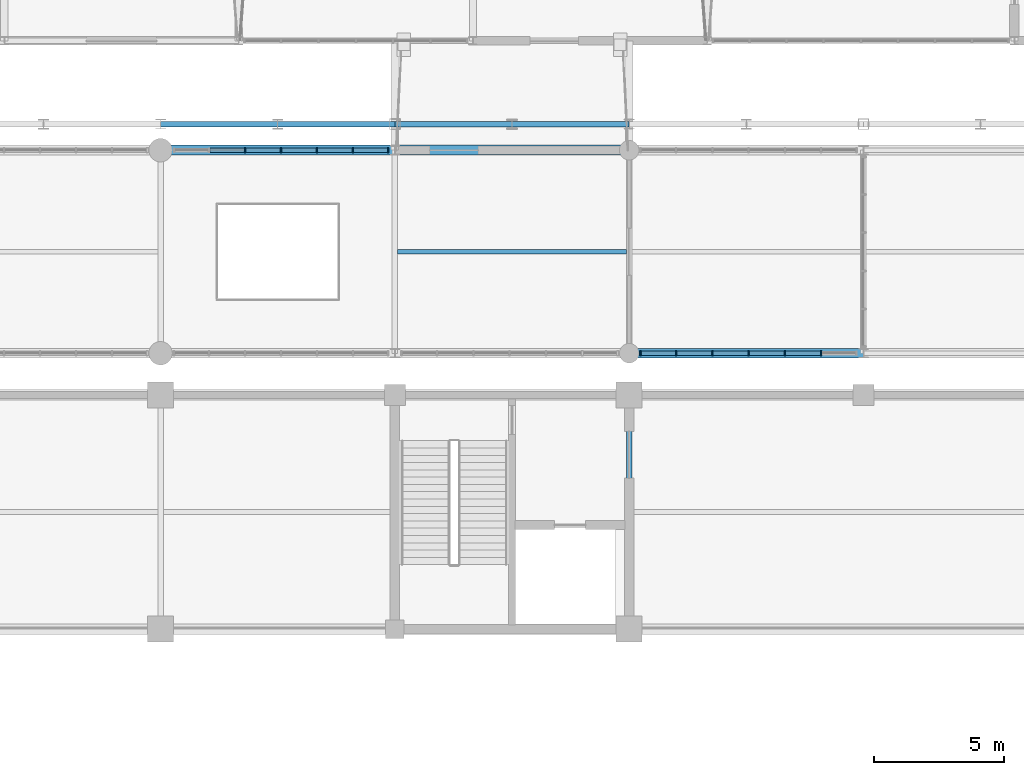
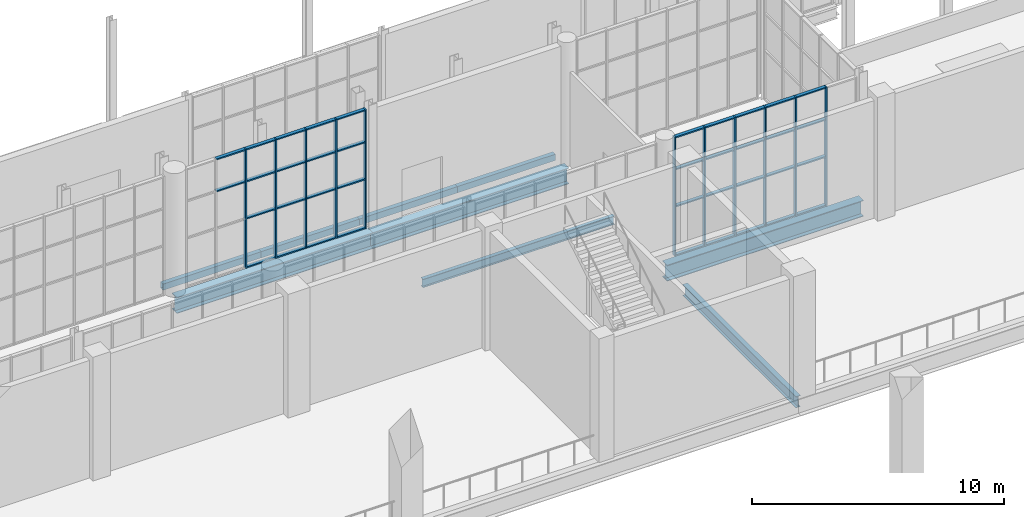
# One storey, part 66 of 159: 49 members, 9 beams, 2 elements without a shape of their own.
"""IFC4 building model written with IfcOpenShell, lengths in metres."""

from ifc_helpers import new_model, si_unit, direction, frame, origin, origin_2d, place, context, subcontext, project, spatial, rectangle, hollow_rectangle, i_section, extrude, material, layer, layer_set, material_profile, profile_set, type_object, element, aggregate, save


model = new_model("IFC4")

# Units and contexts
model_context = context("Model", 3, precision=1e-05, world=origin(), true_north=direction((0.0, 1.0)))
body_context = subcontext(model_context, "Body", "Model", "MODEL_VIEW")
ifc_project = project(units=[si_unit("LENGTHUNIT", "METRE"), si_unit("AREAUNIT", "SQUARE_METRE"), si_unit("VOLUMEUNIT", "CUBIC_METRE"), si_unit("PLANEANGLEUNIT", "RADIAN"), si_unit("MASSUNIT", "GRAM", prefix="KILO")], contexts=[model_context])

# Site, building, storey
site_placement = place(None, origin())
site = spatial("IfcSite", under=ifc_project, at=site_placement, CompositionType="ELEMENT")
building_placement = place(site_placement, origin())
building = spatial("IfcBuilding", under=site, at=building_placement, Name="Cazmaro Siding Exhibition Halls", CompositionType="ELEMENT")
storey_placement = place(building_placement, frame((0.0, 0.0, 6.0)))
storey = spatial("IfcBuildingStorey", under=building, at=storey_placement, Name="L01", CompositionType="ELEMENT", Elevation=6.0)

# Beam
ifc_material_1 = material(Name="Steel ASTM A992 Grade 50", Category="steel")
ifc_material_profile_1 = material_profile(ifc_material_1, i_section(OverallWidth=0.214111328125, OverallDepth=0.549072265625, WebThickness=0.014892578125, FlangeThickness=0.02392578125, at=origin_2d()), Name="W21X93")
ifc_profile_set_1 = profile_set([ifc_material_profile_1], Name="Steel ASTM A992 Grade 50")
beam_type_1 = type_object("IfcBeamType", Name="B-01", PredefinedType="BEAM", material=ifc_profile_set_1)
beam_1_placement = place(storey_placement, frame((144.0, 44.60009765625, -0.52392578125), z_axis=(0.0, 1.0, 0.0), x_axis=(-1.0, 0.0, 0.0)))
element("IfcBeam", 1, at=beam_1_placement, inside=storey, type_object=beam_type_1, Name="Beam B-01 BM-1285", PredefinedType="BEAM", context=body_context, shape_type="SweptSolid", body=[
    extrude(i_section(OverallWidth=0.214111328125, OverallDepth=0.549072265625, WebThickness=0.014892578125, FlangeThickness=0.02392578125, at=origin_2d()), origin(), (0.0, 0.0, 1.0), 9.0),
])

# Curtain wall, members
ifc_material_2 = material(Name="Anodized Bronze Aluminum and Solar-Control Low-E Glazing", Category="aluminium")
ifc_layer = layer(ifc_material_2, 0.179931640625)
ifc_layer_set = layer_set([ifc_layer], Name="Anodized Bronze Aluminum and Solar-Control Low-E Glazing")
curtain_wall_type = type_object("IfcCurtainWallType", Name="CWS-01", PredefinedType="USERDEFINED", material=ifc_layer_set)
curtain_wall_1_placement = place(storey_placement, origin())
curtain_wall_1 = element("IfcCurtainWall", 2, at=curtain_wall_1_placement, inside=storey, type_object=curtain_wall_type, Name="Glazed Curtain Wall CWS-01 CW-194", ObjectType="GLAZED CURTAIN WALL", PredefinedType="USERDEFINED")
ifc_material_3 = material(Name="Anodized Bronze Extruded Aluminum", Category="aluminium")
ifc_material_profile_2 = material_profile(ifc_material_3, rectangle(XDim=0.179931640625, YDim=0.06005859375, at=origin_2d()), Name="CWM-01")
ifc_profile_set_2 = profile_set([ifc_material_profile_2], Name="Anodized Bronze Extruded Aluminum")
member_type_1 = type_object("IfcMemberType", Name="CWM-01", PredefinedType="MULLION", material=ifc_profile_set_2)
member_1_placement = place(storey_placement, frame((134.739990234375, 63.0, 0.0), z_axis=(0.0, 0.0, 1.0), x_axis=(0.0, -1.0, 0.0)))
member_1 = element("IfcMember", 3, at=member_1_placement, type_object=member_type_1, Name="CWS-01 mullion 1", PredefinedType="MULLION", context=body_context, shape_type="SweptSolid", body=[
    extrude(rectangle(XDim=0.179931640625, YDim=0.06005859375, at=origin_2d()), origin(), (0.0, 0.0, 1.0), 5.780029296875),
])
member_2_placement = place(storey_placement, frame((133.388916015625, 63.0, 0.0), z_axis=(0.0, 0.0, 1.0), x_axis=(0.0, -1.0, 0.0)))
member_2 = element("IfcMember", 4, at=member_2_placement, type_object=member_type_1, Name="CWS-01 mullion 2", PredefinedType="MULLION", context=body_context, shape_type="SweptSolid", body=[
    extrude(rectangle(XDim=0.179931640625, YDim=0.06005859375, at=origin_2d()), origin(), (0.0, 0.0, 1.0), 5.780029296875),
])
member_3_placement = place(storey_placement, frame((132.007568359375, 63.0, 0.0), z_axis=(0.0, 0.0, 1.0), x_axis=(0.0, -1.0, 0.0)))
member_3 = element("IfcMember", 5, at=member_3_placement, type_object=member_type_1, Name="CWS-01 mullion 3", PredefinedType="MULLION", context=body_context, shape_type="SweptSolid", body=[
    extrude(rectangle(XDim=0.179931640625, YDim=0.06005859375, at=origin_2d()), origin(), (0.0, 0.0, 1.0), 5.780029296875),
])
member_4_placement = place(storey_placement, frame((130.62646484375, 63.0, 0.0), z_axis=(0.0, 0.0, 1.0), x_axis=(0.0, -1.0, 0.0)))
member_4 = element("IfcMember", 6, at=member_4_placement, type_object=member_type_1, Name="CWS-01 mullion 4", PredefinedType="MULLION", context=body_context, shape_type="SweptSolid", body=[
    extrude(rectangle(XDim=0.179931640625, YDim=0.06005859375, at=origin_2d()), origin(), (0.0, 0.0, 1.0), 5.780029296875),
])
member_5_placement = place(storey_placement, frame((129.245361328125, 63.0, 0.0), z_axis=(0.0, 0.0, 1.0), x_axis=(0.0, -1.0, 0.0)))
member_5 = element("IfcMember", 7, at=member_5_placement, type_object=member_type_1, Name="CWS-01 mullion 5", PredefinedType="MULLION", context=body_context, shape_type="SweptSolid", body=[
    extrude(rectangle(XDim=0.179931640625, YDim=0.06005859375, at=origin_2d()), origin(), (0.0, 0.0, 1.0), 5.780029296875),
])

curtain_wall_2_placement = place(storey_placement, origin())
curtain_wall_2 = element("IfcCurtainWall", 8, at=curtain_wall_2_placement, inside=storey, type_object=curtain_wall_type, Name="Glazed Curtain Wall CWS-01 CW-201", ObjectType="GLAZED CURTAIN WALL", PredefinedType="USERDEFINED")
member_6_placement = place(storey_placement, frame((144.43798828125, 55.199951171875, 0.0), z_axis=(0.0, 0.0, 1.0), x_axis=(0.0, 1.0, 0.0)))
member_6 = element("IfcMember", 9, at=member_6_placement, type_object=member_type_1, Name="CWS-01 mullion 1", PredefinedType="MULLION", context=body_context, shape_type="SweptSolid", body=[
    extrude(rectangle(XDim=0.179931640625, YDim=0.06005859375, at=origin_2d()), origin(), (0.0, 0.0, 1.0), 5.780029296875),
])
member_7_placement = place(storey_placement, frame((145.8017578125, 55.199951171875, 0.0), z_axis=(0.0, 0.0, 1.0), x_axis=(0.0, 1.0, 0.0)))
member_7 = element("IfcMember", 10, at=member_7_placement, type_object=member_type_1, Name="CWS-01 mullion 2", PredefinedType="MULLION", context=body_context, shape_type="SweptSolid", body=[
    extrude(rectangle(XDim=0.179931640625, YDim=0.06005859375, at=origin_2d()), origin(), (0.0, 0.0, 1.0), 5.780029296875),
])
member_8_placement = place(storey_placement, frame((147.1953125, 55.199951171875, 0.0), z_axis=(0.0, 0.0, 1.0), x_axis=(0.0, 1.0, 0.0)))
member_8 = element("IfcMember", 11, at=member_8_placement, type_object=member_type_1, Name="CWS-01 mullion 3", PredefinedType="MULLION", context=body_context, shape_type="SweptSolid", body=[
    extrude(rectangle(XDim=0.179931640625, YDim=0.06005859375, at=origin_2d()), origin(), (0.0, 0.0, 1.0), 5.780029296875),
])
member_9_placement = place(storey_placement, frame((148.589111328125, 55.199951171875, 0.0), z_axis=(0.0, 0.0, 1.0), x_axis=(0.0, 1.0, 0.0)))
member_9 = element("IfcMember", 12, at=member_9_placement, type_object=member_type_1, Name="CWS-01 mullion 4", PredefinedType="MULLION", context=body_context, shape_type="SweptSolid", body=[
    extrude(rectangle(XDim=0.179931640625, YDim=0.06005859375, at=origin_2d()), origin(), (0.0, 0.0, 1.0), 5.780029296875),
])
member_10_placement = place(storey_placement, frame((149.982666015625, 55.199951171875, 0.0), z_axis=(0.0, 0.0, 1.0), x_axis=(0.0, 1.0, 0.0)))
member_10 = element("IfcMember", 13, at=member_10_placement, type_object=member_type_1, Name="CWS-01 mullion 5", PredefinedType="MULLION", context=body_context, shape_type="SweptSolid", body=[
    extrude(rectangle(XDim=0.179931640625, YDim=0.06005859375, at=origin_2d()), origin(), (0.0, 0.0, 1.0), 5.780029296875),
])
member_11_placement = place(storey_placement, frame((151.376220703125, 55.199951171875, 0.0), z_axis=(0.0, 0.0, 1.0), x_axis=(0.0, 1.0, 0.0)))
member_11 = element("IfcMember", 14, at=member_11_placement, type_object=member_type_1, Name="CWS-01 mullion 6", PredefinedType="MULLION", context=body_context, shape_type="SweptSolid", body=[
    extrude(rectangle(XDim=0.179931640625, YDim=0.06005859375, at=origin_2d()), origin(), (0.0, 0.0, 1.0), 5.780029296875),
])

# Member
ifc_material_4 = material(Name="Anodized Bronze Extruded Aluminum", Category="aluminium")
ifc_material_profile_3 = material_profile(ifc_material_4, rectangle(XDim=0.159912109375, YDim=0.06005859375, at=origin_2d()), Name="CWT-01")
ifc_profile_set_3 = profile_set([ifc_material_profile_3], Name="Anodized Bronze Extruded Aluminum")
member_type_2 = type_object("IfcMemberType", Name="CWT-01", PredefinedType="MULLION", material=ifc_profile_set_3)
member_12_placement = place(storey_placement, frame((134.7099609375, 63.0, 0.030029296875), z_axis=(-1.0, 0.0, 0.0), x_axis=(0.0, -1.0, 0.0)))
member_12 = element("IfcMember", 15, at=member_12_placement, type_object=member_type_2, Name="CWS-01 transom 1.1", ObjectType="TRANSOM", PredefinedType="USERDEFINED", context=body_context, shape_type="SweptSolid", body=[
    extrude(rectangle(XDim=0.159912109375, YDim=0.06005859375, at=origin_2d()), origin(), (0.0, 0.0, 1.0), 1.291015625),
])

member_13_placement = place(storey_placement, frame((134.7099609375, 63.0, 2.39990234375), z_axis=(-1.0, 0.0, 0.0), x_axis=(0.0, -1.0, 0.0)))
member_13 = element("IfcMember", 16, at=member_13_placement, type_object=member_type_2, Name="CWS-01 transom 1.2", ObjectType="TRANSOM", PredefinedType="USERDEFINED", context=body_context, shape_type="SweptSolid", body=[
    extrude(rectangle(XDim=0.159912109375, YDim=0.06005859375, at=origin_2d()), origin(), (0.0, 0.0, 1.0), 1.291015625),
])

member_14_placement = place(storey_placement, frame((134.7099609375, 63.0, 4.199951171875), z_axis=(-1.0, 0.0, 0.0), x_axis=(0.0, -1.0, 0.0)))
member_14 = element("IfcMember", 17, at=member_14_placement, type_object=member_type_2, Name="CWS-01 transom 1.3", ObjectType="TRANSOM", PredefinedType="USERDEFINED", context=body_context, shape_type="SweptSolid", body=[
    extrude(rectangle(XDim=0.159912109375, YDim=0.06005859375, at=origin_2d()), origin(), (0.0, 0.0, 1.0), 1.291015625),
])

member_15_placement = place(storey_placement, frame((134.7099609375, 63.0, 5.75), z_axis=(-1.0, 0.0, 0.0), x_axis=(0.0, -1.0, 0.0)))
member_15 = element("IfcMember", 18, at=member_15_placement, type_object=member_type_2, Name="CWS-01 transom 1.4", ObjectType="TRANSOM", PredefinedType="USERDEFINED", context=body_context, shape_type="SweptSolid", body=[
    extrude(rectangle(XDim=0.159912109375, YDim=0.06005859375, at=origin_2d()), origin(), (0.0, 0.0, 1.0), 1.291015625),
])

member_16_placement = place(storey_placement, frame((133.35888671875, 63.0, 0.030029296875), z_axis=(-1.0, 0.0, 0.0), x_axis=(0.0, -1.0, 0.0)))
member_16 = element("IfcMember", 19, at=member_16_placement, type_object=member_type_2, Name="CWS-01 transom 2.1", ObjectType="TRANSOM", PredefinedType="USERDEFINED", context=body_context, shape_type="SweptSolid", body=[
    extrude(rectangle(XDim=0.159912109375, YDim=0.06005859375, at=origin_2d()), origin(), (0.0, 0.0, 1.0), 1.3212890625),
])

member_17_placement = place(storey_placement, frame((133.35888671875, 63.0, 2.39990234375), z_axis=(-1.0, 0.0, 0.0), x_axis=(0.0, -1.0, 0.0)))
member_17 = element("IfcMember", 20, at=member_17_placement, type_object=member_type_2, Name="CWS-01 transom 2.2", ObjectType="TRANSOM", PredefinedType="USERDEFINED", context=body_context, shape_type="SweptSolid", body=[
    extrude(rectangle(XDim=0.159912109375, YDim=0.06005859375, at=origin_2d()), origin(), (0.0, 0.0, 1.0), 1.3212890625),
])

member_18_placement = place(storey_placement, frame((133.35888671875, 63.0, 4.199951171875), z_axis=(-1.0, 0.0, 0.0), x_axis=(0.0, -1.0, 0.0)))
member_18 = element("IfcMember", 21, at=member_18_placement, type_object=member_type_2, Name="CWS-01 transom 2.3", ObjectType="TRANSOM", PredefinedType="USERDEFINED", context=body_context, shape_type="SweptSolid", body=[
    extrude(rectangle(XDim=0.159912109375, YDim=0.06005859375, at=origin_2d()), origin(), (0.0, 0.0, 1.0), 1.3212890625),
])

member_19_placement = place(storey_placement, frame((133.35888671875, 63.0, 5.75), z_axis=(-1.0, 0.0, 0.0), x_axis=(0.0, -1.0, 0.0)))
member_19 = element("IfcMember", 22, at=member_19_placement, type_object=member_type_2, Name="CWS-01 transom 2.4", ObjectType="TRANSOM", PredefinedType="USERDEFINED", context=body_context, shape_type="SweptSolid", body=[
    extrude(rectangle(XDim=0.159912109375, YDim=0.06005859375, at=origin_2d()), origin(), (0.0, 0.0, 1.0), 1.3212890625),
])

member_20_placement = place(storey_placement, frame((131.977783203125, 63.0, 0.030029296875), z_axis=(-1.0, 0.0, 0.0), x_axis=(0.0, -1.0, 0.0)))
member_20 = element("IfcMember", 23, at=member_20_placement, type_object=member_type_2, Name="CWS-01 transom 3.1", ObjectType="TRANSOM", PredefinedType="USERDEFINED", context=body_context, shape_type="SweptSolid", body=[
    extrude(rectangle(XDim=0.159912109375, YDim=0.06005859375, at=origin_2d()), origin(), (0.0, 0.0, 1.0), 1.3212890625),
])

member_21_placement = place(storey_placement, frame((131.977783203125, 63.0, 2.39990234375), z_axis=(-1.0, 0.0, 0.0), x_axis=(0.0, -1.0, 0.0)))
member_21 = element("IfcMember", 24, at=member_21_placement, type_object=member_type_2, Name="CWS-01 transom 3.2", ObjectType="TRANSOM", PredefinedType="USERDEFINED", context=body_context, shape_type="SweptSolid", body=[
    extrude(rectangle(XDim=0.159912109375, YDim=0.06005859375, at=origin_2d()), origin(), (0.0, 0.0, 1.0), 1.3212890625),
])

member_22_placement = place(storey_placement, frame((131.977783203125, 63.0, 4.199951171875), z_axis=(-1.0, 0.0, 0.0), x_axis=(0.0, -1.0, 0.0)))
member_22 = element("IfcMember", 25, at=member_22_placement, type_object=member_type_2, Name="CWS-01 transom 3.3", ObjectType="TRANSOM", PredefinedType="USERDEFINED", context=body_context, shape_type="SweptSolid", body=[
    extrude(rectangle(XDim=0.159912109375, YDim=0.06005859375, at=origin_2d()), origin(), (0.0, 0.0, 1.0), 1.3212890625),
])

member_23_placement = place(storey_placement, frame((131.977783203125, 63.0, 5.75), z_axis=(-1.0, 0.0, 0.0), x_axis=(0.0, -1.0, 0.0)))
member_23 = element("IfcMember", 26, at=member_23_placement, type_object=member_type_2, Name="CWS-01 transom 3.4", ObjectType="TRANSOM", PredefinedType="USERDEFINED", context=body_context, shape_type="SweptSolid", body=[
    extrude(rectangle(XDim=0.159912109375, YDim=0.06005859375, at=origin_2d()), origin(), (0.0, 0.0, 1.0), 1.3212890625),
])

member_24_placement = place(storey_placement, frame((130.596435546875, 63.0, 0.030029296875), z_axis=(-1.0, 0.0, 0.0), x_axis=(0.0, -1.0, 0.0)))
member_24 = element("IfcMember", 27, at=member_24_placement, type_object=member_type_2, Name="CWS-01 transom 4.1", ObjectType="TRANSOM", PredefinedType="USERDEFINED", context=body_context, shape_type="SweptSolid", body=[
    extrude(rectangle(XDim=0.159912109375, YDim=0.06005859375, at=origin_2d()), origin(), (0.0, 0.0, 1.0), 1.321044921875),
])

member_25_placement = place(storey_placement, frame((130.596435546875, 63.0, 2.39990234375), z_axis=(-1.0, 0.0, 0.0), x_axis=(0.0, -1.0, 0.0)))
member_25 = element("IfcMember", 28, at=member_25_placement, type_object=member_type_2, Name="CWS-01 transom 4.2", ObjectType="TRANSOM", PredefinedType="USERDEFINED", context=body_context, shape_type="SweptSolid", body=[
    extrude(rectangle(XDim=0.159912109375, YDim=0.06005859375, at=origin_2d()), origin(), (0.0, 0.0, 1.0), 1.321044921875),
])

member_26_placement = place(storey_placement, frame((130.596435546875, 63.0, 4.199951171875), z_axis=(-1.0, 0.0, 0.0), x_axis=(0.0, -1.0, 0.0)))
member_26 = element("IfcMember", 29, at=member_26_placement, type_object=member_type_2, Name="CWS-01 transom 4.3", ObjectType="TRANSOM", PredefinedType="USERDEFINED", context=body_context, shape_type="SweptSolid", body=[
    extrude(rectangle(XDim=0.159912109375, YDim=0.06005859375, at=origin_2d()), origin(), (0.0, 0.0, 1.0), 1.321044921875),
])

member_27_placement = place(storey_placement, frame((130.596435546875, 63.0, 5.75), z_axis=(-1.0, 0.0, 0.0), x_axis=(0.0, -1.0, 0.0)))
member_27 = element("IfcMember", 30, at=member_27_placement, type_object=member_type_2, Name="CWS-01 transom 4.4", ObjectType="TRANSOM", PredefinedType="USERDEFINED", context=body_context, shape_type="SweptSolid", body=[
    extrude(rectangle(XDim=0.159912109375, YDim=0.06005859375, at=origin_2d()), origin(), (0.0, 0.0, 1.0), 1.321044921875),
])

member_28_placement = place(storey_placement, frame((129.21533203125, 63.0, 4.199951171875), z_axis=(-1.0, 0.0, 0.0), x_axis=(0.0, -1.0, 0.0)))
member_28 = element("IfcMember", 31, at=member_28_placement, type_object=member_type_2, Name="CWS-01 transom 5.3", ObjectType="TRANSOM", PredefinedType="USERDEFINED", context=body_context, shape_type="SweptSolid", body=[
    extrude(rectangle(XDim=0.159912109375, YDim=0.06005859375, at=origin_2d()), origin(), (0.0, 0.0, 1.0), 1.321044921875),
])

member_29_placement = place(storey_placement, frame((129.21533203125, 63.0, 5.75), z_axis=(-1.0, 0.0, 0.0), x_axis=(0.0, -1.0, 0.0)))
member_29 = element("IfcMember", 32, at=member_29_placement, type_object=member_type_2, Name="CWS-01 transom 5.4", ObjectType="TRANSOM", PredefinedType="USERDEFINED", context=body_context, shape_type="SweptSolid", body=[
    extrude(rectangle(XDim=0.159912109375, YDim=0.06005859375, at=origin_2d()), origin(), (0.0, 0.0, 1.0), 1.321044921875),
])

aggregate(curtain_wall_1, [member_1, member_2, member_3, member_4, member_5, member_12, member_13, member_14, member_15, member_16, member_17, member_18, member_19, member_20, member_21, member_22, member_23, member_24, member_25, member_26, member_27, member_28, member_29])

member_30_placement = place(storey_placement, frame((144.468017578125, 55.199951171875, 0.030029296875), z_axis=(1.0, 0.0, 0.0), x_axis=(0.0, 1.0, 0.0)))
member_30 = element("IfcMember", 33, at=member_30_placement, type_object=member_type_2, Name="CWS-01 transom 1.1", ObjectType="TRANSOM", PredefinedType="USERDEFINED", context=body_context, shape_type="SweptSolid", body=[
    extrude(rectangle(XDim=0.159912109375, YDim=0.06005859375, at=origin_2d()), origin(), (0.0, 0.0, 1.0), 1.3037109375),
])

member_31_placement = place(storey_placement, frame((144.468017578125, 55.199951171875, 2.39990234375), z_axis=(1.0, 0.0, 0.0), x_axis=(0.0, 1.0, 0.0)))
member_31 = element("IfcMember", 34, at=member_31_placement, type_object=member_type_2, Name="CWS-01 transom 1.2", ObjectType="TRANSOM", PredefinedType="USERDEFINED", context=body_context, shape_type="SweptSolid", body=[
    extrude(rectangle(XDim=0.159912109375, YDim=0.06005859375, at=origin_2d()), origin(), (0.0, 0.0, 1.0), 1.3037109375),
])

member_32_placement = place(storey_placement, frame((144.468017578125, 55.199951171875, 4.199951171875), z_axis=(1.0, 0.0, 0.0), x_axis=(0.0, 1.0, 0.0)))
member_32 = element("IfcMember", 35, at=member_32_placement, type_object=member_type_2, Name="CWS-01 transom 1.3", ObjectType="TRANSOM", PredefinedType="USERDEFINED", context=body_context, shape_type="SweptSolid", body=[
    extrude(rectangle(XDim=0.159912109375, YDim=0.06005859375, at=origin_2d()), origin(), (0.0, 0.0, 1.0), 1.3037109375),
])

member_33_placement = place(storey_placement, frame((144.468017578125, 55.199951171875, 5.75), z_axis=(1.0, 0.0, 0.0), x_axis=(0.0, 1.0, 0.0)))
member_33 = element("IfcMember", 36, at=member_33_placement, type_object=member_type_2, Name="CWS-01 transom 1.4", ObjectType="TRANSOM", PredefinedType="USERDEFINED", context=body_context, shape_type="SweptSolid", body=[
    extrude(rectangle(XDim=0.159912109375, YDim=0.06005859375, at=origin_2d()), origin(), (0.0, 0.0, 1.0), 1.3037109375),
])

member_34_placement = place(storey_placement, frame((145.831787109375, 55.199951171875, 0.030029296875), z_axis=(1.0, 0.0, 0.0), x_axis=(0.0, 1.0, 0.0)))
member_34 = element("IfcMember", 37, at=member_34_placement, type_object=member_type_2, Name="CWS-01 transom 2.1", ObjectType="TRANSOM", PredefinedType="USERDEFINED", context=body_context, shape_type="SweptSolid", body=[
    extrude(rectangle(XDim=0.159912109375, YDim=0.06005859375, at=origin_2d()), origin(), (0.0, 0.0, 1.0), 1.33349609375),
])

member_35_placement = place(storey_placement, frame((145.831787109375, 55.199951171875, 2.39990234375), z_axis=(1.0, 0.0, 0.0), x_axis=(0.0, 1.0, 0.0)))
member_35 = element("IfcMember", 38, at=member_35_placement, type_object=member_type_2, Name="CWS-01 transom 2.2", ObjectType="TRANSOM", PredefinedType="USERDEFINED", context=body_context, shape_type="SweptSolid", body=[
    extrude(rectangle(XDim=0.159912109375, YDim=0.06005859375, at=origin_2d()), origin(), (0.0, 0.0, 1.0), 1.33349609375),
])

member_36_placement = place(storey_placement, frame((145.831787109375, 55.199951171875, 4.199951171875), z_axis=(1.0, 0.0, 0.0), x_axis=(0.0, 1.0, 0.0)))
member_36 = element("IfcMember", 39, at=member_36_placement, type_object=member_type_2, Name="CWS-01 transom 2.3", ObjectType="TRANSOM", PredefinedType="USERDEFINED", context=body_context, shape_type="SweptSolid", body=[
    extrude(rectangle(XDim=0.159912109375, YDim=0.06005859375, at=origin_2d()), origin(), (0.0, 0.0, 1.0), 1.33349609375),
])

member_37_placement = place(storey_placement, frame((145.831787109375, 55.199951171875, 5.75), z_axis=(1.0, 0.0, 0.0), x_axis=(0.0, 1.0, 0.0)))
member_37 = element("IfcMember", 40, at=member_37_placement, type_object=member_type_2, Name="CWS-01 transom 2.4", ObjectType="TRANSOM", PredefinedType="USERDEFINED", context=body_context, shape_type="SweptSolid", body=[
    extrude(rectangle(XDim=0.159912109375, YDim=0.06005859375, at=origin_2d()), origin(), (0.0, 0.0, 1.0), 1.33349609375),
])

member_38_placement = place(storey_placement, frame((147.225341796875, 55.199951171875, 0.030029296875), z_axis=(1.0, 0.0, 0.0), x_axis=(0.0, 1.0, 0.0)))
member_38 = element("IfcMember", 41, at=member_38_placement, type_object=member_type_2, Name="CWS-01 transom 3.1", ObjectType="TRANSOM", PredefinedType="USERDEFINED", context=body_context, shape_type="SweptSolid", body=[
    extrude(rectangle(XDim=0.159912109375, YDim=0.06005859375, at=origin_2d()), origin(), (0.0, 0.0, 1.0), 1.333740234375),
])

member_39_placement = place(storey_placement, frame((147.225341796875, 55.199951171875, 2.39990234375), z_axis=(1.0, 0.0, 0.0), x_axis=(0.0, 1.0, 0.0)))
member_39 = element("IfcMember", 42, at=member_39_placement, type_object=member_type_2, Name="CWS-01 transom 3.2", ObjectType="TRANSOM", PredefinedType="USERDEFINED", context=body_context, shape_type="SweptSolid", body=[
    extrude(rectangle(XDim=0.159912109375, YDim=0.06005859375, at=origin_2d()), origin(), (0.0, 0.0, 1.0), 1.333740234375),
])

member_40_placement = place(storey_placement, frame((147.225341796875, 55.199951171875, 4.199951171875), z_axis=(1.0, 0.0, 0.0), x_axis=(0.0, 1.0, 0.0)))
member_40 = element("IfcMember", 43, at=member_40_placement, type_object=member_type_2, Name="CWS-01 transom 3.3", ObjectType="TRANSOM", PredefinedType="USERDEFINED", context=body_context, shape_type="SweptSolid", body=[
    extrude(rectangle(XDim=0.159912109375, YDim=0.06005859375, at=origin_2d()), origin(), (0.0, 0.0, 1.0), 1.333740234375),
])

member_41_placement = place(storey_placement, frame((147.225341796875, 55.199951171875, 5.75), z_axis=(1.0, 0.0, 0.0), x_axis=(0.0, 1.0, 0.0)))
member_41 = element("IfcMember", 44, at=member_41_placement, type_object=member_type_2, Name="CWS-01 transom 3.4", ObjectType="TRANSOM", PredefinedType="USERDEFINED", context=body_context, shape_type="SweptSolid", body=[
    extrude(rectangle(XDim=0.159912109375, YDim=0.06005859375, at=origin_2d()), origin(), (0.0, 0.0, 1.0), 1.333740234375),
])

member_42_placement = place(storey_placement, frame((148.618896484375, 55.199951171875, 0.030029296875), z_axis=(1.0, 0.0, 0.0), x_axis=(0.0, 1.0, 0.0)))
member_42 = element("IfcMember", 45, at=member_42_placement, type_object=member_type_2, Name="CWS-01 transom 4.1", ObjectType="TRANSOM", PredefinedType="USERDEFINED", context=body_context, shape_type="SweptSolid", body=[
    extrude(rectangle(XDim=0.159912109375, YDim=0.06005859375, at=origin_2d()), origin(), (0.0, 0.0, 1.0), 1.333740234375),
])

member_43_placement = place(storey_placement, frame((148.618896484375, 55.199951171875, 2.39990234375), z_axis=(1.0, 0.0, 0.0), x_axis=(0.0, 1.0, 0.0)))
member_43 = element("IfcMember", 46, at=member_43_placement, type_object=member_type_2, Name="CWS-01 transom 4.2", ObjectType="TRANSOM", PredefinedType="USERDEFINED", context=body_context, shape_type="SweptSolid", body=[
    extrude(rectangle(XDim=0.159912109375, YDim=0.06005859375, at=origin_2d()), origin(), (0.0, 0.0, 1.0), 1.333740234375),
])

member_44_placement = place(storey_placement, frame((148.618896484375, 55.199951171875, 4.199951171875), z_axis=(1.0, 0.0, 0.0), x_axis=(0.0, 1.0, 0.0)))
member_44 = element("IfcMember", 47, at=member_44_placement, type_object=member_type_2, Name="CWS-01 transom 4.3", ObjectType="TRANSOM", PredefinedType="USERDEFINED", context=body_context, shape_type="SweptSolid", body=[
    extrude(rectangle(XDim=0.159912109375, YDim=0.06005859375, at=origin_2d()), origin(), (0.0, 0.0, 1.0), 1.333740234375),
])

member_45_placement = place(storey_placement, frame((148.618896484375, 55.199951171875, 5.75), z_axis=(1.0, 0.0, 0.0), x_axis=(0.0, 1.0, 0.0)))
member_45 = element("IfcMember", 48, at=member_45_placement, type_object=member_type_2, Name="CWS-01 transom 4.4", ObjectType="TRANSOM", PredefinedType="USERDEFINED", context=body_context, shape_type="SweptSolid", body=[
    extrude(rectangle(XDim=0.159912109375, YDim=0.06005859375, at=origin_2d()), origin(), (0.0, 0.0, 1.0), 1.333740234375),
])

member_46_placement = place(storey_placement, frame((150.0126953125, 55.199951171875, 0.030029296875), z_axis=(1.0, 0.0, 0.0), x_axis=(0.0, 1.0, 0.0)))
member_46 = element("IfcMember", 49, at=member_46_placement, type_object=member_type_2, Name="CWS-01 transom 5.1", ObjectType="TRANSOM", PredefinedType="USERDEFINED", context=body_context, shape_type="SweptSolid", body=[
    extrude(rectangle(XDim=0.159912109375, YDim=0.06005859375, at=origin_2d()), origin(), (0.0, 0.0, 1.0), 1.333740234375),
])

member_47_placement = place(storey_placement, frame((150.0126953125, 55.199951171875, 2.39990234375), z_axis=(1.0, 0.0, 0.0), x_axis=(0.0, 1.0, 0.0)))
member_47 = element("IfcMember", 50, at=member_47_placement, type_object=member_type_2, Name="CWS-01 transom 5.2", ObjectType="TRANSOM", PredefinedType="USERDEFINED", context=body_context, shape_type="SweptSolid", body=[
    extrude(rectangle(XDim=0.159912109375, YDim=0.06005859375, at=origin_2d()), origin(), (0.0, 0.0, 1.0), 1.333740234375),
])

member_48_placement = place(storey_placement, frame((150.0126953125, 55.199951171875, 4.199951171875), z_axis=(1.0, 0.0, 0.0), x_axis=(0.0, 1.0, 0.0)))
member_48 = element("IfcMember", 51, at=member_48_placement, type_object=member_type_2, Name="CWS-01 transom 5.3", ObjectType="TRANSOM", PredefinedType="USERDEFINED", context=body_context, shape_type="SweptSolid", body=[
    extrude(rectangle(XDim=0.159912109375, YDim=0.06005859375, at=origin_2d()), origin(), (0.0, 0.0, 1.0), 1.333740234375),
])

member_49_placement = place(storey_placement, frame((150.0126953125, 55.199951171875, 5.75), z_axis=(1.0, 0.0, 0.0), x_axis=(0.0, 1.0, 0.0)))
member_49 = element("IfcMember", 52, at=member_49_placement, type_object=member_type_2, Name="CWS-01 transom 5.4", ObjectType="TRANSOM", PredefinedType="USERDEFINED", context=body_context, shape_type="SweptSolid", body=[
    extrude(rectangle(XDim=0.159912109375, YDim=0.06005859375, at=origin_2d()), origin(), (0.0, 0.0, 1.0), 1.333740234375),
])

aggregate(curtain_wall_2, [member_6, member_7, member_8, member_9, member_10, member_11, member_30, member_31, member_32, member_33, member_34, member_35, member_36, member_37, member_38, member_39, member_40, member_41, member_42, member_43, member_44, member_45, member_46, member_47, member_48, member_49])

# Beams
ifc_material_5 = material(Name="Steel ASTM A992 Grade 50", Category="steel")
ifc_material_profile_4 = material_profile(ifc_material_5, i_section(OverallWidth=0.381103515625, OverallDepth=0.779052734375, WebThickness=0.01806640625, FlangeThickness=0.030029296875, at=origin_2d()), Name="W30X191")
ifc_profile_set_4 = profile_set([ifc_material_profile_4], Name="Steel ASTM A992 Grade 50")
beam_type_2 = type_object("IfcBeamType", Name="G-04", PredefinedType="USERDEFINED", material=ifc_profile_set_4)
for number, where, z_axis, x_axis, name in (
    (53, (126.0, 63.0, -0.60888671875), (1.0, 0.0, 0.0), (0.0, 1.0, 0.0), "Beam G-04 BM-1654"),
    (54, (135.0, 63.0, -0.60888671875), (1.0, 0.0, 0.0), (0.0, 1.0, 0.0), "Beam G-04 BM-1661"),
    (55, (144.0, 55.199951171875, -0.60888671875), (1.0, 0.0, 0.0), (0.0, 1.0, 0.0), "Beam G-04 BM-1669"),
):
    element("IfcBeam", number, at=place(storey_placement, frame(where, z_axis=z_axis, x_axis=x_axis)), inside=storey, type_object=beam_type_2, Name=name, ObjectType="GIRDER", PredefinedType="USERDEFINED", context=body_context, shape_type="SweptSolid", body=[
        extrude(i_section(OverallWidth=0.381103515625, OverallDepth=0.779052734375, WebThickness=0.01806640625, FlangeThickness=0.030029296875, at=origin_2d()), origin(), (0.0, 0.0, 1.0), 9.0),
    ])
ifc_material_6 = material(Name="Steel ASTM A992 Grade 50", Category="steel")
ifc_material_profile_5 = material_profile(ifc_material_6, i_section(OverallWidth=0.177978515625, OverallDepth=0.406005859375, WebThickness=0.008056640625, FlangeThickness=0.012939453125, at=origin_2d()), Name="W16X40")
ifc_profile_set_5 = profile_set([ifc_material_profile_5], Name="Steel ASTM A992 Grade 50")
beam_type_3 = type_object("IfcBeamType", Name="J-02", PredefinedType="JOIST", material=ifc_profile_set_5)
beam_2_placement = place(storey_placement, frame((135.10498046875, 59.10009765625, -0.423095703125), z_axis=(1.0, 0.0, 0.0), x_axis=(0.0, 1.0, 0.0)))
element("IfcBeam", 56, at=beam_2_placement, inside=storey, type_object=beam_type_3, Name="Beam J-02 BM-1662", PredefinedType="JOIST", context=body_context, shape_type="SweptSolid", body=[
    extrude(i_section(OverallWidth=0.177978515625, OverallDepth=0.406005859375, WebThickness=0.008056640625, FlangeThickness=0.012939453125, at=origin_2d()), origin(), (0.0, 0.0, 1.0), 8.7900390625),
])
ifc_material_7 = material(Name="Steel ASTM A500 Grade C", Category="steel")
ifc_material_profile_6 = material_profile(ifc_material_7, hollow_rectangle(XDim=0.202880859375, YDim=0.304931640625, WallThickness=0.011962890625, at=origin_2d()), Name="HSS12X8X1/2")
ifc_profile_set_6 = profile_set([ifc_material_profile_6], Name="Steel ASTM A500 Grade C")
beam_type_4 = type_object("IfcBeamType", Name="SP-01", PredefinedType="SPANDREL", material=ifc_profile_set_6)
for number, where, z_axis, x_axis, name in (
    (57, (126.0, 64.0, -0.3720703125), (1.0, 0.0, 0.0), (0.0, 1.0, 0.0), "Beam SP-01 BM-0169"),
    (58, (130.5, 64.0, -0.3720703125), (1.0, 0.0, 0.0), (0.0, 1.0, 0.0), "Beam SP-01 BM-0175"),
    (59, (135.0, 64.0, -0.3720703125), (1.0, 0.0, 0.0), (0.0, 1.0, 0.0), "Beam SP-01 BM-0181"),
    (60, (139.5, 64.0, -0.3720703125), (1.0, 0.0, 0.0), (0.0, 1.0, 0.0), "Beam SP-01 BM-0187"),
):
    element("IfcBeam", number, at=place(storey_placement, frame(where, z_axis=z_axis, x_axis=x_axis)), inside=storey, type_object=beam_type_4, Name=name, PredefinedType="SPANDREL", context=body_context, shape_type="SweptSolid", body=[
        extrude(hollow_rectangle(XDim=0.202880859375, YDim=0.304931640625, WallThickness=0.011962890625, at=origin_2d()), origin(), (0.0, 0.0, 1.0), 4.5),
    ])

save(model, "model.ifc")
